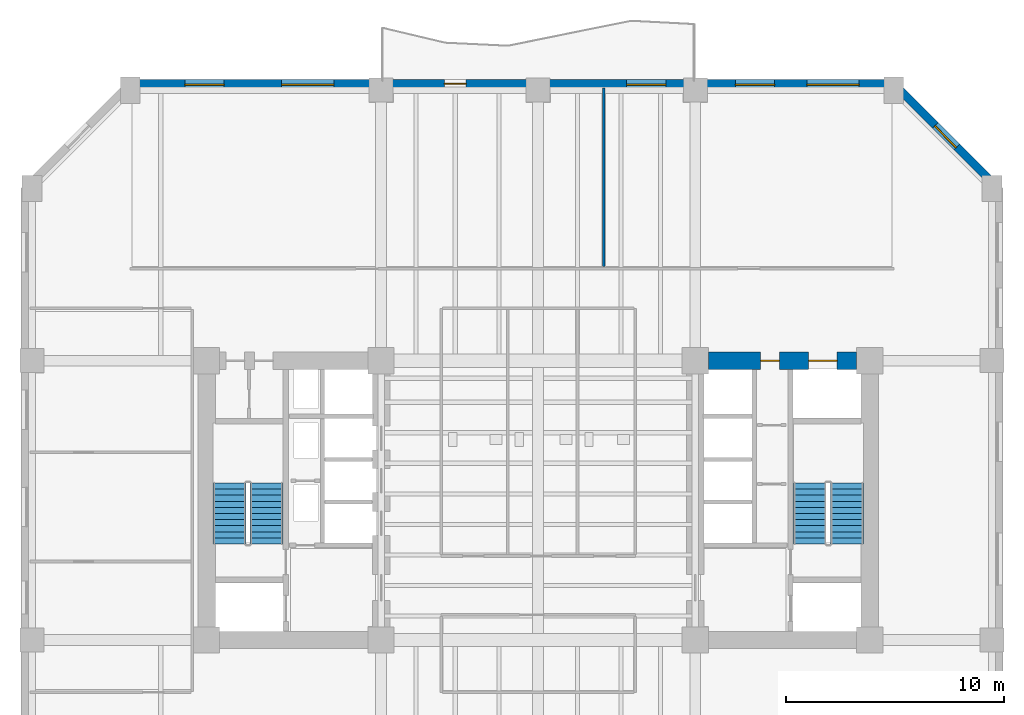
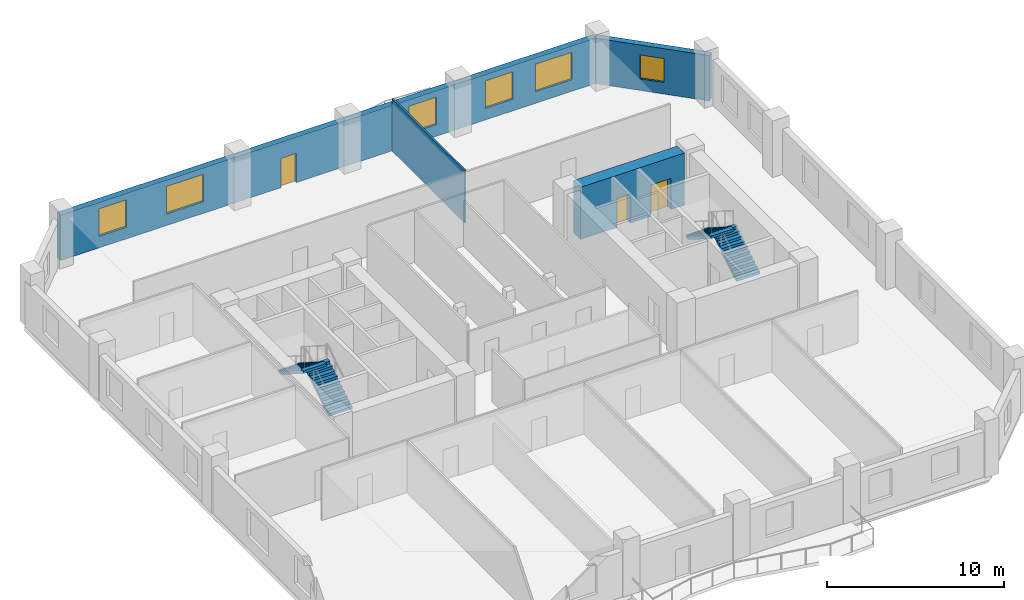
# One storey, part 5 of 10: 6 windows, 4 stair flights, 4 walls, 3 doors, 9 openings, 2 elements without a shape of their own.
"""IFC4 building model written with IfcOpenShell, lengths in metres."""

from ifc_helpers import new_model, si_unit, direction, frame, frame_2d, origin, place, context, subcontext, project, spatial, polyline, rectangle, outline, extrude, material, layer, layer_set, type_object, element, fill, aggregate, save


model = new_model("IFC4")

# Units and contexts
model_context = context("Model", 3, precision=1e-05, world=origin(), true_north=direction((0.0, 1.0)))
body_context = subcontext(model_context, "Body", "Model", "MODEL_VIEW")
ifc_project = project(units=[si_unit("LENGTHUNIT", "METRE"), si_unit("AREAUNIT", "SQUARE_METRE"), si_unit("VOLUMEUNIT", "CUBIC_METRE"), si_unit("PLANEANGLEUNIT", "RADIAN"), si_unit("MASSUNIT", "GRAM", prefix="KILO")], contexts=[model_context])

# Site, building, storey
site_placement = place(None, origin())
site = spatial("IfcSite", under=ifc_project, at=site_placement, CompositionType="ELEMENT")
building_placement = place(site_placement, origin())
building = spatial("IfcBuilding", under=site, at=building_placement, Name="Kranthara Brick Stack", CompositionType="ELEMENT")
storey_placement = place(building_placement, frame((0.0, 0.0, 36.0)))
storey = spatial("IfcBuildingStorey", under=building, at=storey_placement, Name="L08", CompositionType="ELEMENT", Elevation=36.0)

# Wall, openings, door, windows
ifc_material_1 = material(Name="Kiln-fired clay brick masonry M15", Category="masonry")
ifc_layer_1 = layer(ifc_material_1, 0.3798828125)
ifc_layer_set_1 = layer_set([ifc_layer_1], Name="Kiln-fired clay brick masonry M15")
wall_type_1 = type_object("IfcWallType", Name="WL-BRK-PIER-380", PredefinedType="STANDARD", material=ifc_layer_set_1)
wall_1_placement = place(storey_placement, frame((9.300048828125, 46.2900390625, 0.0), z_axis=(0.0, 0.0, 1.0), x_axis=(1.0, 0.0, 0.0)))
wall_1 = element("IfcWall", 1, at=wall_1_placement, inside=storey, type_object=wall_type_1, Name="L08 Exterior Brick Facade Wall NORTH 1", PredefinedType="STANDARD", context=body_context, shape_type="SweptSolid", body=[
    extrude(rectangle(XDim=35.0, YDim=0.3798828125, at=frame_2d((17.5, 0.0))), origin(), (0.0, 0.0, 1.0), 3.135009765625),
])
opening_1_placement = place(wall_1_placement, frame((14.39990234375, 0.0, 0.0)))
opening_1 = element("IfcOpeningElement", 2, at=opening_1_placement, cuts=wall_1, Name="Opening D03", PredefinedType="OPENING", context=body_context, shape_type="SweptSolid", body=[
    extrude(rectangle(XDim=1.0, YDim=2.02001953125, at=frame_2d((0.5, 1.010009765625))), frame((0.0, 0.199951171875, 0.0), z_axis=(0.0, -1.0, 0.0), x_axis=(1.0, 0.0, 0.0)), (0.0, 0.0, 1.0), 0.39990234375),
])
opening_2_placement = place(wall_1_placement, frame((2.510986328125, 0.0, 0.800048828125)))
opening_2 = element("IfcOpeningElement", 3, at=opening_2_placement, cuts=wall_1, Name="Opening WN01", PredefinedType="OPENING", context=body_context, shape_type="SweptSolid", body=[
    extrude(rectangle(XDim=1.800048828125, YDim=1.89990234375, at=frame_2d((0.89990234375, 0.949951171875))), frame((0.0, 0.199951171875, 0.0), z_axis=(0.0, -1.0, 0.0), x_axis=(1.0, 0.0, 0.0)), (0.0, 0.0, 1.0), 0.39990234375),
])
opening_3_placement = place(wall_1_placement, frame((6.93896484375, 0.0, 0.800048828125)))
opening_3 = element("IfcOpeningElement", 4, at=opening_3_placement, cuts=wall_1, Name="Opening WN02", PredefinedType="OPENING", context=body_context, shape_type="SweptSolid", body=[
    extrude(rectangle(XDim=2.39990234375, YDim=1.89990234375, at=frame_2d((1.199951171875, 0.949951171875))), frame((0.0, 0.199951171875, 0.0), z_axis=(0.0, -1.0, 0.0), x_axis=(1.0, 0.0, 0.0)), (0.0, 0.0, 1.0), 0.39990234375),
])
opening_4_placement = place(wall_1_placement, frame((22.75, 0.0, 0.800048828125)))
opening_4 = element("IfcOpeningElement", 5, at=opening_4_placement, cuts=wall_1, Name="Opening WN01", PredefinedType="OPENING", context=body_context, shape_type="SweptSolid", body=[
    extrude(rectangle(XDim=1.800048828125, YDim=1.89990234375, at=frame_2d((0.89990234375, 0.949951171875))), frame((0.0, 0.199951171875, 0.0), z_axis=(0.0, -1.0, 0.0), x_axis=(1.0, 0.0, 0.0)), (0.0, 0.0, 1.0), 0.39990234375),
])
opening_5_placement = place(wall_1_placement, frame((27.737060546875, 0.0, 0.800048828125)))
opening_5 = element("IfcOpeningElement", 6, at=opening_5_placement, cuts=wall_1, Name="Opening WN01", PredefinedType="OPENING", context=body_context, shape_type="SweptSolid", body=[
    extrude(rectangle(XDim=1.800048828125, YDim=1.89990234375, at=frame_2d((0.89990234375, 0.949951171875))), frame((0.0, 0.199951171875, 0.0), z_axis=(0.0, -1.0, 0.0), x_axis=(1.0, 0.0, 0.0)), (0.0, 0.0, 1.0), 0.39990234375),
])
opening_6_placement = place(wall_1_placement, frame((31.012939453125, 0.0, 0.800048828125)))
opening_6 = element("IfcOpeningElement", 7, at=opening_6_placement, cuts=wall_1, Name="Opening WN02", PredefinedType="OPENING", context=body_context, shape_type="SweptSolid", body=[
    extrude(rectangle(XDim=2.39990234375, YDim=1.89990234375, at=frame_2d((1.199951171875, 0.949951171875))), frame((0.0, 0.199951171875, 0.0), z_axis=(0.0, -1.0, 0.0), x_axis=(1.0, 0.0, 0.0)), (0.0, 0.0, 1.0), 0.39990234375),
])
ifc_material_2 = material(Name="Bronze anodised aluminium and laminated glass", Category="aluminium")
door_type_1 = type_object("IfcDoorType", Name="DR-BALC-1000", OperationType="NOTDEFINED", PredefinedType="DOOR", material=ifc_material_2)
door_1_placement = place(opening_1_placement, origin())
door_1 = element("IfcDoor", 8, at=door_1_placement, inside=storey, type_object=door_type_1, Name="L08 North Balcony Terrace Door", OperationType="SINGLE_SWING_RIGHT", OverallHeight=2.02001953125, OverallWidth=1.0, PredefinedType="DOOR", context=body_context, shape_type="SweptSolid", body=[
    extrude(rectangle(XDim=1.0, YDim=2.02001953125, at=frame_2d((0.5, 1.010009765625))), frame((0.0, 0.02490234375, 0.0), z_axis=(0.0, -1.0, 0.0), x_axis=(1.0, 0.0, 0.0)), (0.0, 0.0, 1.0), 0.050048828125),
])
fill(opening_1, door_1)
ifc_material_3 = material(Name="Double-glazed low-E solar control glass", Category="glass")
window_type_1 = type_object("IfcWindowType", Name="WN-OFF-1800x2000", PartitioningType="SINGLE_PANEL", PredefinedType="WINDOW", material=ifc_material_3)
window_1_placement = place(opening_2_placement, origin())
window_1 = element("IfcWindow", 9, at=window_1_placement, inside=storey, type_object=window_type_1, Name="L08 North Deep-Set Brick Window 01", OverallHeight=1.89990234375, OverallWidth=1.800048828125, PartitioningType="SINGLE_PANEL", PredefinedType="WINDOW", context=body_context, shape_type="SweptSolid", body=[
    extrude(rectangle(XDim=1.800048828125, YDim=1.89990234375, at=frame_2d((0.89990234375, 0.949951171875))), frame((0.0, -0.010009765625, 0.0), z_axis=(0.0, -1.0, 0.0), x_axis=(1.0, 0.0, 0.0)), (0.0, 0.0, 1.0), 0.06005859375),
])
fill(opening_2, window_1)
window_2_placement = place(opening_4_placement, origin())
window_2 = element("IfcWindow", 10, at=window_2_placement, inside=storey, type_object=window_type_1, Name="L08 North Deep-Set Brick Window 03", OverallHeight=1.89990234375, OverallWidth=1.800048828125, PartitioningType="SINGLE_PANEL", PredefinedType="WINDOW", context=body_context, shape_type="SweptSolid", body=[
    extrude(rectangle(XDim=1.800048828125, YDim=1.89990234375, at=frame_2d((0.89990234375, 0.949951171875))), frame((0.0, -0.010009765625, 0.0), z_axis=(0.0, -1.0, 0.0), x_axis=(1.0, 0.0, 0.0)), (0.0, 0.0, 1.0), 0.06005859375),
])
fill(opening_4, window_2)
window_3_placement = place(opening_5_placement, origin())
window_3 = element("IfcWindow", 11, at=window_3_placement, inside=storey, type_object=window_type_1, Name="L08 North Deep-Set Brick Window 04", OverallHeight=1.89990234375, OverallWidth=1.800048828125, PartitioningType="SINGLE_PANEL", PredefinedType="WINDOW", context=body_context, shape_type="SweptSolid", body=[
    extrude(rectangle(XDim=1.800048828125, YDim=1.89990234375, at=frame_2d((0.89990234375, 0.949951171875))), frame((0.0, -0.010009765625, 0.0), z_axis=(0.0, -1.0, 0.0), x_axis=(1.0, 0.0, 0.0)), (0.0, 0.0, 1.0), 0.06005859375),
])
fill(opening_5, window_3)
ifc_material_4 = material(Name="Double-glazed low-E solar control glass", Category="glass")
window_type_2 = type_object("IfcWindowType", Name="WN-OFF-2400x2000", PartitioningType="DOUBLE_PANEL_VERTICAL", PredefinedType="WINDOW", material=ifc_material_4)
window_4_placement = place(opening_3_placement, origin())
window_4 = element("IfcWindow", 12, at=window_4_placement, inside=storey, type_object=window_type_2, Name="L08 North Deep-Set Brick Window 02", OverallHeight=1.89990234375, OverallWidth=2.39990234375, PartitioningType="SINGLE_PANEL", PredefinedType="WINDOW", context=body_context, shape_type="SweptSolid", body=[
    extrude(rectangle(XDim=2.39990234375, YDim=1.89990234375, at=frame_2d((1.199951171875, 0.949951171875))), frame((0.0, -0.010009765625, 0.0), z_axis=(0.0, -1.0, 0.0), x_axis=(1.0, 0.0, 0.0)), (0.0, 0.0, 1.0), 0.06005859375),
])
fill(opening_3, window_4)
window_5_placement = place(opening_6_placement, origin())
window_5 = element("IfcWindow", 13, at=window_5_placement, inside=storey, type_object=window_type_2, Name="L08 North Deep-Set Brick Window 05", OverallHeight=1.89990234375, OverallWidth=2.39990234375, PartitioningType="SINGLE_PANEL", PredefinedType="WINDOW", context=body_context, shape_type="SweptSolid", body=[
    extrude(rectangle(XDim=2.39990234375, YDim=1.89990234375, at=frame_2d((1.199951171875, 0.949951171875))), frame((0.0, -0.010009765625, 0.0), z_axis=(0.0, -1.0, 0.0), x_axis=(1.0, 0.0, 0.0)), (0.0, 0.0, 1.0), 0.06005859375),
])
fill(opening_6, window_5)

# Wall, opening, window
wall_2_placement = place(storey_placement, frame((44.300048828125, 46.2900390625, 0.0), z_axis=(0.0, 0.0, 1.0), x_axis=(0.707106781187, -0.707106781187, 0.0)))
wall_2 = element("IfcWall", 14, at=wall_2_placement, inside=storey, type_object=wall_type_1, Name="L08 Exterior Brick Facade Wall NE 1", PredefinedType="STANDARD", context=body_context, shape_type="SweptSolid", body=[
    extrude(rectangle(XDim=6.774169921875, YDim=0.3798828125, at=frame_2d((3.38720703125, 0.0))), origin(), (0.0, 0.0, 1.0), 3.135009765625),
])
opening_7_placement = place(wall_2_placement, frame((2.68701171875, 0.0, 0.800048828125)))
opening_7 = element("IfcOpeningElement", 15, at=opening_7_placement, cuts=wall_2, Name="Opening WN10", PredefinedType="OPENING", context=body_context, shape_type="SweptSolid", body=[
    extrude(rectangle(XDim=1.39990234375, YDim=1.64990234375, at=frame_2d((0.699951171875, 0.824951171875))), frame((0.0, 0.199951171875, 0.0), z_axis=(0.0, -1.0, 0.0), x_axis=(1.0, 0.0, 0.0)), (0.0, 0.0, 1.0), 0.39990234375),
])
ifc_material_5 = material(Name="Double-glazed low-E solar control glass", Category="glass")
window_type_3 = type_object("IfcWindowType", Name="WN-CHM-1400x1750", PartitioningType="SINGLE_PANEL", PredefinedType="WINDOW", material=ifc_material_5)
window_6_placement = place(opening_7_placement, origin())
window_6 = element("IfcWindow", 16, at=window_6_placement, inside=storey, type_object=window_type_3, Name="L08 NE Chamfer Corner Window", OverallHeight=1.64990234375, OverallWidth=1.39990234375, PartitioningType="SINGLE_PANEL", PredefinedType="WINDOW", context=body_context, shape_type="SweptSolid", body=[
    extrude(rectangle(XDim=1.39990234375, YDim=1.64990234375, at=frame_2d((0.699951171875, 0.824951171875))), frame((0.0, -0.010009765625, 0.0), z_axis=(0.0, -1.0, 0.0), x_axis=(1.0, 0.0, 0.0)), (0.0, 0.0, 1.0), 0.06005859375),
])
fill(opening_7, window_6)

# Wall, openings, doors
ifc_material_6 = material(Name="Concrete C70/85", Category="concrete")
ifc_layer_2 = layer(ifc_material_6, 0.800048828125)
ifc_layer_set_2 = layer_set([ifc_layer_2], Name="Concrete C70/85")
wall_type_2 = type_object("IfcWallType", Name="WL-CORE-800", PredefinedType="SHEAR", material=ifc_layer_set_2)
wall_3_placement = place(storey_placement, frame((35.804931640625, 33.60009765625, 0.0), z_axis=(0.0, 0.0, 1.0), x_axis=(1.0, 0.0, 0.0)))
wall_3 = element("IfcWall", 17, at=wall_3_placement, inside=storey, type_object=wall_type_2, Name="L08 East Core Shear Wall North", PredefinedType="SHEAR", context=body_context, shape_type="SweptSolid", body=[
    extrude(rectangle(XDim=6.7900390625, YDim=0.800048828125, at=frame_2d((3.39501953125, 0.0))), origin(), (0.0, 0.0, 1.0), 3.60009765625),
])
opening_8_placement = place(wall_3_placement, frame((4.594970703125, 0.0, 0.0)))
opening_8 = element("IfcOpeningElement", 18, at=opening_8_placement, cuts=wall_3, Name="Opening LD03", PredefinedType="OPENING", context=body_context, shape_type="SweptSolid", body=[
    extrude(rectangle(XDim=1.300048828125, YDim=2.14990234375, at=frame_2d((0.64990234375, 1.074951171875))), frame((0.0, 0.409912109375, 0.0), z_axis=(0.0, -1.0, 0.0), x_axis=(1.0, 0.0, 0.0)), (0.0, 0.0, 1.0), 0.820068359375),
])
opening_9_placement = place(wall_3_placement, frame((2.39501953125, 0.0, 0.0)))
opening_9 = element("IfcOpeningElement", 19, at=opening_9_placement, cuts=wall_3, Name="Opening D10", PredefinedType="OPENING", context=body_context, shape_type="SweptSolid", body=[
    extrude(rectangle(XDim=0.85009765625, YDim=2.02001953125, at=frame_2d((0.425048828125, 1.010009765625))), frame((0.0, 0.409912109375, 0.0), z_axis=(0.0, -1.0, 0.0), x_axis=(1.0, 0.0, 0.0)), (0.0, 0.0, 1.0), 0.820068359375),
])
ifc_material_7 = material(Name="Stainless steel sliding landing door", Category="steel")
door_type_2 = type_object("IfcDoorType", Name="DR-LD-SV1300", OperationType="DOUBLE_DOOR_SLIDING", PredefinedType="DOOR", material=ifc_material_7)
door_2_placement = place(opening_8_placement, origin())
door_2 = element("IfcDoor", 20, at=door_2_placement, inside=storey, type_object=door_type_2, Name="L08 Stretcher Service Lift SV-01 Landing Door", OperationType="DOUBLE_DOOR_SLIDING", OverallHeight=2.14990234375, OverallWidth=1.300048828125, PredefinedType="DOOR", context=body_context, shape_type="SweptSolid", body=[
    extrude(rectangle(XDim=1.300048828125, YDim=2.14990234375, at=frame_2d((0.64990234375, 1.074951171875))), frame((0.0, 0.02490234375, 0.0), z_axis=(0.0, -1.0, 0.0), x_axis=(1.0, 0.0, 0.0)), (0.0, 0.0, 1.0), 0.050048828125),
])
fill(opening_8, door_2)
ifc_material_8 = material(Name="Solid-core hardwood timber leaf in steel frame", Category="steel")
door_type_3 = type_object("IfcDoorType", Name="DR-RSR-850", OperationType="NOTDEFINED", PredefinedType="DOOR", material=ifc_material_8)
door_3_placement = place(opening_9_placement, origin())
door_3 = element("IfcDoor", 21, at=door_3_placement, inside=storey, type_object=door_type_3, Name="L08 East Core Service Room Door", OperationType="SINGLE_SWING_LEFT", OverallHeight=2.02001953125, OverallWidth=0.85009765625, PredefinedType="DOOR", context=body_context, shape_type="SweptSolid", body=[
    extrude(rectangle(XDim=0.85009765625, YDim=2.02001953125, at=frame_2d((0.425048828125, 1.010009765625))), frame((0.0, 0.02490234375, 0.0), z_axis=(0.0, -1.0, 0.0), x_axis=(1.0, 0.0, 0.0)), (0.0, 0.0, 1.0), 0.050048828125),
])
fill(opening_9, door_3)

# Wall
ifc_material_9 = material(Name="Acoustic gypsum plasterboard partition", Category="other")
ifc_layer_3 = layer(ifc_material_9, 0.1201171875)
ifc_layer_set_3 = layer_set([ifc_layer_3], Name="Acoustic gypsum plasterboard partition")
wall_type_3 = type_object("IfcWallType", Name="WL-PART-120", PredefinedType="PARTITIONING", material=ifc_layer_set_3)
wall_4_placement = place(storey_placement, frame((31.0, 37.919921875, 0.0), z_axis=(0.0, 0.0, 1.0), x_axis=(0.0, 1.0, 0.0)))
element("IfcWall", 22, at=wall_4_placement, inside=storey, type_object=wall_type_3, Name="L08 Interior Partition 022", PredefinedType="PARTITIONING", context=body_context, shape_type="SweptSolid", body=[
    extrude(rectangle(XDim=8.175048828125, YDim=0.1201171875, at=frame_2d((4.08740234375, 0.0))), origin(), (0.0, 0.0, 1.0), 3.60009765625),
])

# Stair, stair flights
ifc_material_10 = material(Name="Concrete C45/55", Category="concrete")
stair_type = type_object("IfcStairType", Name="ST-CORE-22R", PredefinedType="HALF_TURN_STAIR", material=ifc_material_10)
stair_1_placement = place(storey_placement, origin())
stair_1 = element("IfcStair", 23, at=stair_1_placement, inside=storey, type_object=stair_type, Name="L08 West Core Protected Exit Stair ST01", PredefinedType="HALF_TURN_STAIR")
ifc_material_11 = material(Name="Concrete C45/55", Category="concrete")
stair_flight_type = type_object("IfcStairFlightType", Name="SFL-RC-22R", PredefinedType="STRAIGHT", material=ifc_material_11)
stair_flight_1_placement = place(storey_placement, frame((15.550048828125, 25.199951171875, 0.0), z_axis=(0.0, 0.0, 1.0), x_axis=(0.0, 1.0, 0.0)))
stair_flight_1 = element("IfcStairFlight", 24, at=stair_flight_1_placement, type_object=stair_flight_type, Name="ST01 flight 1", NumberOfRisers=11, NumberOfTreads=10, PredefinedType="STRAIGHT", RiserHeight=0.177272727, TreadLength=0.28, context=body_context, shape_type="SweptSolid", body=[
    extrude(outline(polyline([(0.0, 0.0), (0.0, 0.17724609375), (0.280029296875, 0.17724609375), (0.280029296875, 0.3544921875), (0.56005859375, 0.3544921875), (0.56005859375, 0.53173828125), (0.840087890625, 0.53173828125), (0.840087890625, 0.708984375), (1.1201171875, 0.708984375), (1.1201171875, 0.886474609375), (1.39990234375, 0.886474609375), (1.39990234375, 1.063720703125), (1.679931640625, 1.063720703125), (1.679931640625, 1.240966796875), (1.9599609375, 1.240966796875), (1.9599609375, 1.418212890625), (2.239990234375, 1.418212890625), (2.239990234375, 1.595458984375), (2.52001953125, 1.595458984375), (2.52001953125, 1.772705078125), (2.800048828125, 1.772705078125), (2.800048828125, 1.949951171875), (2.800048828125, 1.59521484375), (0.2802734375, 0.0), (0.0, 0.0)])), frame((0.0, 0.75, 0.0), z_axis=(0.0, -1.0, 0.0), x_axis=(1.0, 0.0, 0.0)), (0.0, 0.0, 1.0), 1.5),
])
stair_flight_2_placement = place(storey_placement, frame((13.85009765625, 28.0, 1.949951171875), z_axis=(0.0, 0.0, 1.0), x_axis=(0.0, -1.0, 0.0)))
stair_flight_2 = element("IfcStairFlight", 25, at=stair_flight_2_placement, type_object=stair_flight_type, Name="ST01 flight 2", NumberOfRisers=11, NumberOfTreads=10, PredefinedType="STRAIGHT", RiserHeight=0.177272727, TreadLength=0.28, context=body_context, shape_type="SweptSolid", body=[
    extrude(outline(polyline([(0.0, 0.0), (0.0, 0.17724609375), (0.280029296875, 0.17724609375), (0.280029296875, 0.3544921875), (0.56005859375, 0.3544921875), (0.56005859375, 0.53173828125), (0.840087890625, 0.53173828125), (0.840087890625, 0.708984375), (1.1201171875, 0.708984375), (1.1201171875, 0.886474609375), (1.39990234375, 0.886474609375), (1.39990234375, 1.063720703125), (1.679931640625, 1.063720703125), (1.679931640625, 1.240966796875), (1.9599609375, 1.240966796875), (1.9599609375, 1.418212890625), (2.239990234375, 1.418212890625), (2.239990234375, 1.595458984375), (2.52001953125, 1.595458984375), (2.52001953125, 1.772705078125), (2.800048828125, 1.772705078125), (2.800048828125, 1.949951171875), (2.800048828125, 1.59521484375), (0.2802734375, 0.0), (0.0, 0.0)])), frame((0.0, 0.75, 0.0), z_axis=(0.0, -1.0, 0.0), x_axis=(1.0, 0.0, 0.0)), (0.0, 0.0, 1.0), 1.5),
])
aggregate(stair_1, [stair_flight_1, stair_flight_2])

stair_2_placement = place(storey_placement, origin())
stair_2 = element("IfcStair", 26, at=stair_2_placement, inside=storey, type_object=stair_type, Name="L08 East Core Protected Exit Stair ST02", PredefinedType="HALF_TURN_STAIR")
stair_flight_3_placement = place(storey_placement, frame((42.14990234375, 25.199951171875, 0.0), z_axis=(0.0, 0.0, 1.0), x_axis=(0.0, 1.0, 0.0)))
stair_flight_3 = element("IfcStairFlight", 27, at=stair_flight_3_placement, type_object=stair_flight_type, Name="ST02 flight 1", NumberOfRisers=11, NumberOfTreads=10, PredefinedType="STRAIGHT", RiserHeight=0.177272727, TreadLength=0.28, context=body_context, shape_type="SweptSolid", body=[
    extrude(outline(polyline([(0.0, 0.0), (0.0, 0.17724609375), (0.280029296875, 0.17724609375), (0.280029296875, 0.3544921875), (0.56005859375, 0.3544921875), (0.56005859375, 0.53173828125), (0.840087890625, 0.53173828125), (0.840087890625, 0.708984375), (1.1201171875, 0.708984375), (1.1201171875, 0.886474609375), (1.39990234375, 0.886474609375), (1.39990234375, 1.063720703125), (1.679931640625, 1.063720703125), (1.679931640625, 1.240966796875), (1.9599609375, 1.240966796875), (1.9599609375, 1.418212890625), (2.239990234375, 1.418212890625), (2.239990234375, 1.595458984375), (2.52001953125, 1.595458984375), (2.52001953125, 1.772705078125), (2.800048828125, 1.772705078125), (2.800048828125, 1.949951171875), (2.800048828125, 1.59521484375), (0.2802734375, 0.0), (0.0, 0.0)])), frame((0.0, 0.75, 0.0), z_axis=(0.0, -1.0, 0.0), x_axis=(1.0, 0.0, 0.0)), (0.0, 0.0, 1.0), 1.5),
])
stair_flight_4_placement = place(storey_placement, frame((40.449951171875, 28.0, 1.949951171875), z_axis=(0.0, 0.0, 1.0), x_axis=(0.0, -1.0, 0.0)))
stair_flight_4 = element("IfcStairFlight", 28, at=stair_flight_4_placement, type_object=stair_flight_type, Name="ST02 flight 2", NumberOfRisers=11, NumberOfTreads=10, PredefinedType="STRAIGHT", RiserHeight=0.177272727, TreadLength=0.28, context=body_context, shape_type="SweptSolid", body=[
    extrude(outline(polyline([(0.0, 0.0), (0.0, 0.17724609375), (0.280029296875, 0.17724609375), (0.280029296875, 0.3544921875), (0.56005859375, 0.3544921875), (0.56005859375, 0.53173828125), (0.840087890625, 0.53173828125), (0.840087890625, 0.708984375), (1.1201171875, 0.708984375), (1.1201171875, 0.886474609375), (1.39990234375, 0.886474609375), (1.39990234375, 1.063720703125), (1.679931640625, 1.063720703125), (1.679931640625, 1.240966796875), (1.9599609375, 1.240966796875), (1.9599609375, 1.418212890625), (2.239990234375, 1.418212890625), (2.239990234375, 1.595458984375), (2.52001953125, 1.595458984375), (2.52001953125, 1.772705078125), (2.800048828125, 1.772705078125), (2.800048828125, 1.949951171875), (2.800048828125, 1.59521484375), (0.2802734375, 0.0), (0.0, 0.0)])), frame((0.0, 0.75, 0.0), z_axis=(0.0, -1.0, 0.0), x_axis=(1.0, 0.0, 0.0)), (0.0, 0.0, 1.0), 1.5),
])
aggregate(stair_2, [stair_flight_3, stair_flight_4])

save(model, "model.ifc")
